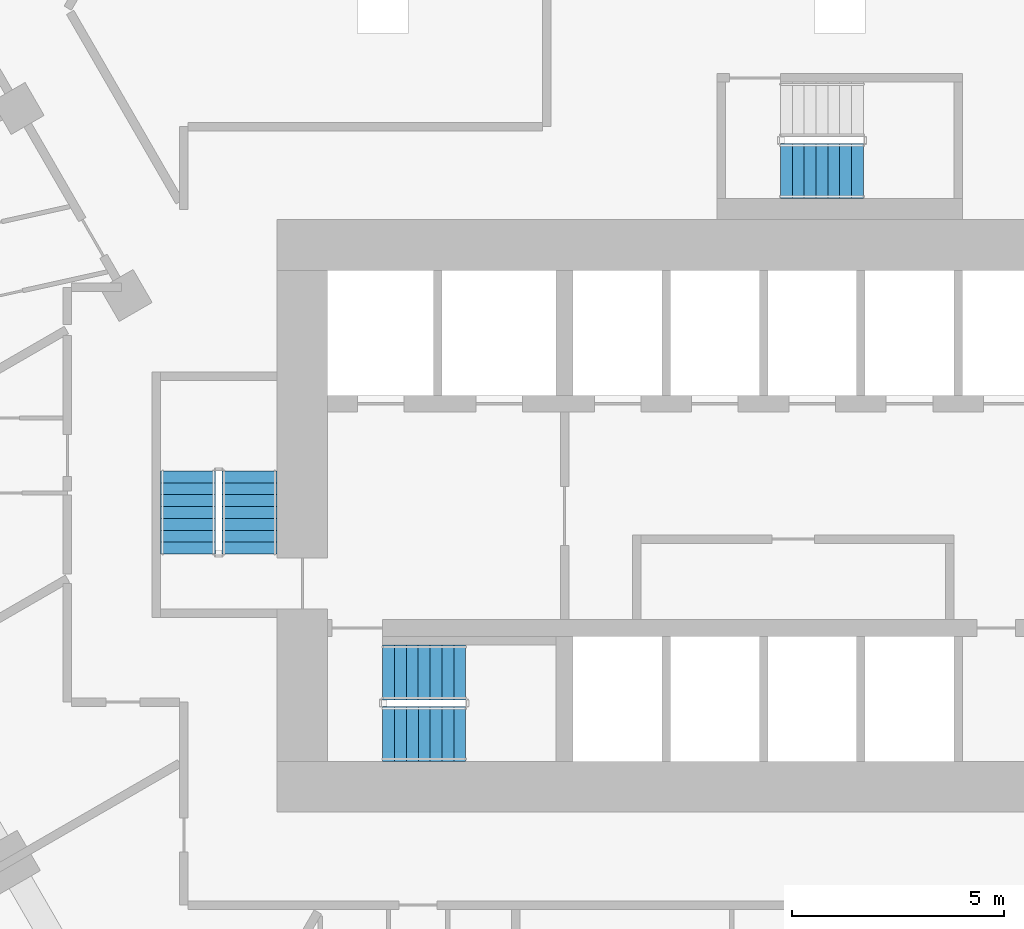
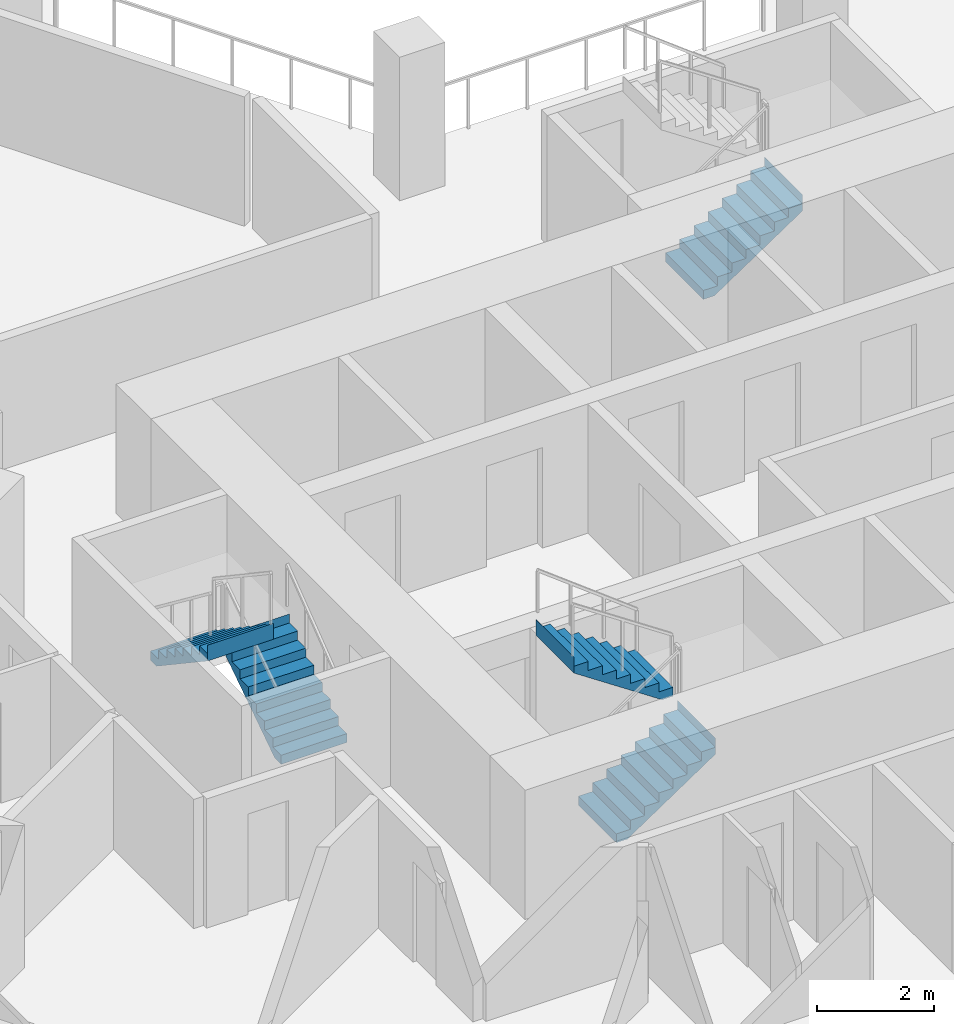
# One storey, part 16 of 21: 5 stair flights, 3 elements without a shape of their own.
"""IFC4 building model written with IfcOpenShell, lengths in metres."""

from ifc_helpers import new_model, si_unit, direction, frame, origin, place, context, subcontext, project, spatial, triangles, material, type_object, element, aggregate, save


model = new_model("IFC4")

# Units and contexts
model_context = context("Model", 3, precision=1e-05, world=origin(), true_north=direction((0.0, 1.0)))
body_context = subcontext(model_context, "Body", "Model", "MODEL_VIEW")
ifc_project = project(units=[si_unit("LENGTHUNIT", "METRE"), si_unit("AREAUNIT", "SQUARE_METRE"), si_unit("VOLUMEUNIT", "CUBIC_METRE"), si_unit("PLANEANGLEUNIT", "RADIAN"), si_unit("MASSUNIT", "GRAM", prefix="KILO")], contexts=[model_context])

# Site, building, storey
site_placement = place(None, origin())
site = spatial("IfcSite", under=ifc_project, at=site_placement, CompositionType="ELEMENT")
building_placement = place(site_placement, origin())
building = spatial("IfcBuilding", under=site, at=building_placement, Name="Beryl Residences", CompositionType="ELEMENT")
storey_placement = place(building_placement, frame((0.0, 0.0, 23.39990234375)))
storey = spatial("IfcBuildingStorey", under=building, at=storey_placement, Name="L06", CompositionType="ELEMENT", Elevation=23.39990234375)

# Stair, stair flights
ifc_material_1 = material(Name="Concrete C40/50", Category="concrete")
stair_type = type_object("IfcStairType", Name="ST1 protected exit stair, half-turn, 1300 mm flights", PredefinedType="HALF_TURN_STAIR", material=ifc_material_1)
stair_1_placement = place(storey_placement, origin())
stair_1 = element("IfcStair", 1, at=stair_1_placement, inside=storey, type_object=stair_type, Name="L06 PROTECTED EXIT STAIR ST-1", PredefinedType="HALF_TURN_STAIR")
ifc_material_2 = material(Name="Concrete C40/50", Category="concrete")
stair_flight_type = type_object("IfcStairFlightType", Name="SF1 stair flight 1300 mm", PredefinedType="STRAIGHT", material=ifc_material_2)
stair_flight_1_placement = place(storey_placement, frame((-10.800048828125, -17.14990234375, 0.0), z_axis=(0.0, 0.0, 1.0), x_axis=(1.0, 0.0, 0.0)))
stair_flight_1 = element("IfcStairFlight", 2, at=stair_flight_1_placement, type_object=stair_flight_type, Name="ST-1 flight 1", NumberOfRisers=8, NumberOfTreads=7, PredefinedType="STRAIGHT", RiserHeight=0.1875, TreadLength=0.28, context=body_context, shape_type="Tessellation", body=[
    triangles([(0.0, -0.64990234375, 0.0), (0.0, -0.324951171875, 0.0), (0.0, 0.0, 0.0), (0.0, 0.324951171875, 0.0), (0.0, 0.64990234375, 0.0), (0.0, -0.64990234375, 0.1875), (0.0, -0.324951171875, 0.1875), (0.0, 0.0, 0.1875), (0.0, 0.324951171875, 0.1875), (0.0, 0.64990234375, 0.1875), (0.280029296875, -0.64990234375, 0.1875), (0.280029296875, -0.324951171875, 0.1875), (0.280029296875, 0.0, 0.1875), (0.280029296875, 0.324951171875, 0.1875), (0.280029296875, 0.64990234375, 0.1875), (0.280029296875, -0.64990234375, 0.375), (0.280029296875, -0.324951171875, 0.375), (0.280029296875, 0.0, 0.375), (0.280029296875, 0.324951171875, 0.375), (0.280029296875, 0.64990234375, 0.375), (0.56005859375, -0.64990234375, 0.375), (0.56005859375, -0.324951171875, 0.375), (0.56005859375, 0.0, 0.375), (0.56005859375, 0.324951171875, 0.375), (0.56005859375, 0.64990234375, 0.375), (0.56005859375, -0.64990234375, 0.5625), (0.56005859375, -0.324951171875, 0.5625), (0.56005859375, 0.0, 0.5625), (0.56005859375, 0.324951171875, 0.5625), (0.56005859375, 0.64990234375, 0.5625), (0.840087890625, -0.64990234375, 0.5625), (0.840087890625, -0.324951171875, 0.5625), (0.840087890625, 0.0, 0.5625), (0.840087890625, 0.324951171875, 0.5625), (0.840087890625, 0.64990234375, 0.5625), (0.840087890625, -0.64990234375, 0.75), (0.840087890625, -0.324951171875, 0.75), (0.840087890625, 0.0, 0.75), (0.840087890625, 0.324951171875, 0.75), (0.840087890625, 0.64990234375, 0.75), (1.1201171875, -0.64990234375, 0.75), (1.1201171875, -0.324951171875, 0.75), (1.1201171875, 0.0, 0.75), (1.1201171875, 0.324951171875, 0.75), (1.1201171875, 0.64990234375, 0.75), (1.1201171875, -0.64990234375, 0.9375), (1.1201171875, -0.324951171875, 0.9375), (1.1201171875, 0.0, 0.9375), (1.1201171875, 0.324951171875, 0.9375), (1.1201171875, 0.64990234375, 0.9375), (1.39990234375, -0.64990234375, 0.9375), (1.39990234375, -0.324951171875, 0.9375), (1.39990234375, 0.0, 0.9375), (1.39990234375, 0.324951171875, 0.9375), (1.39990234375, 0.64990234375, 0.9375), (1.39990234375, -0.64990234375, 1.125), (1.39990234375, -0.324951171875, 1.125), (1.39990234375, 0.0, 1.125), (1.39990234375, 0.324951171875, 1.125), (1.39990234375, 0.64990234375, 1.125), (1.679931640625, -0.64990234375, 1.125), (1.679931640625, -0.324951171875, 1.125), (1.679931640625, 0.0, 1.125), (1.679931640625, 0.324951171875, 1.125), (1.679931640625, 0.64990234375, 1.125), (1.679931640625, -0.64990234375, 1.3125), (1.679931640625, -0.324951171875, 1.3125), (1.679931640625, 0.0, 1.3125), (1.679931640625, 0.324951171875, 1.3125), (1.679931640625, 0.64990234375, 1.3125), (1.9599609375, -0.64990234375, 1.3125), (1.9599609375, -0.324951171875, 1.3125), (1.9599609375, 0.0, 1.3125), (1.9599609375, 0.324951171875, 1.3125), (1.9599609375, 0.64990234375, 1.3125), (1.9599609375, -0.64990234375, 1.5), (1.9599609375, -0.324951171875, 1.5), (1.9599609375, 0.0, 1.5), (1.9599609375, 0.324951171875, 1.5), (1.9599609375, 0.64990234375, 1.5), (1.9609375, -0.64990234375, 1.5), (1.9609375, -0.324951171875, 1.5), (1.9609375, 0.0, 1.5), (1.9609375, 0.324951171875, 1.5), (1.9609375, 0.64990234375, 1.5), (1.9609375, -0.64990234375, 1.16796875), (1.9609375, -0.324951171875, 1.16796875), (1.9609375, 0.0, 1.16796875), (1.9609375, 0.324951171875, 1.16796875), (1.9609375, 0.64990234375, 1.16796875), (0.216796875, -0.64990234375, 0.0), (0.216796875, -0.324951171875, 0.0), (0.216796875, 0.0, 0.0), (0.216796875, 0.324951171875, 0.0), (0.216796875, 0.64990234375, 0.0)], [[1, 6, 7], [1, 7, 2], [2, 7, 8], [2, 8, 3], [3, 8, 9], [3, 9, 4], [4, 9, 10], [4, 10, 5], [6, 11, 12], [6, 12, 7], [7, 12, 13], [7, 13, 8], [8, 13, 14], [8, 14, 9], [9, 14, 15], [9, 15, 10], [11, 16, 17], [11, 17, 12], [12, 17, 18], [12, 18, 13], [13, 18, 19], [13, 19, 14], [14, 19, 20], [14, 20, 15], [16, 21, 22], [16, 22, 17], [17, 22, 23], [17, 23, 18], [18, 23, 24], [18, 24, 19], [19, 24, 25], [19, 25, 20], [21, 26, 27], [21, 27, 22], [22, 27, 28], [22, 28, 23], [23, 28, 29], [23, 29, 24], [24, 29, 30], [24, 30, 25], [26, 31, 32], [26, 32, 27], [27, 32, 33], [27, 33, 28], [28, 33, 34], [28, 34, 29], [29, 34, 35], [29, 35, 30], [31, 36, 37], [31, 37, 32], [32, 37, 38], [32, 38, 33], [33, 38, 39], [33, 39, 34], [34, 39, 40], [34, 40, 35], [36, 41, 42], [36, 42, 37], [37, 42, 43], [37, 43, 38], [38, 43, 44], [38, 44, 39], [39, 44, 45], [39, 45, 40], [41, 46, 47], [41, 47, 42], [42, 47, 48], [42, 48, 43], [43, 48, 49], [43, 49, 44], [44, 49, 50], [44, 50, 45], [46, 51, 52], [46, 52, 47], [47, 52, 53], [47, 53, 48], [48, 53, 54], [48, 54, 49], [49, 54, 55], [49, 55, 50], [51, 56, 57], [51, 57, 52], [52, 57, 58], [52, 58, 53], [53, 58, 59], [53, 59, 54], [54, 59, 60], [54, 60, 55], [56, 61, 62], [56, 62, 57], [57, 62, 63], [57, 63, 58], [58, 63, 64], [58, 64, 59], [59, 64, 65], [59, 65, 60], [61, 66, 67], [61, 67, 62], [62, 67, 68], [62, 68, 63], [63, 68, 69], [63, 69, 64], [64, 69, 70], [64, 70, 65], [66, 71, 72], [66, 72, 67], [67, 72, 73], [67, 73, 68], [68, 73, 74], [68, 74, 69], [69, 74, 75], [69, 75, 70], [71, 76, 77], [71, 77, 72], [72, 77, 78], [72, 78, 73], [73, 78, 79], [73, 79, 74], [74, 79, 80], [74, 80, 75], [76, 81, 82], [76, 82, 77], [77, 82, 83], [77, 83, 78], [78, 83, 84], [78, 84, 79], [79, 84, 85], [79, 85, 80], [81, 86, 87], [81, 87, 82], [82, 87, 88], [82, 88, 83], [83, 88, 89], [83, 89, 84], [84, 89, 90], [84, 90, 85], [86, 91, 92], [86, 92, 87], [87, 92, 93], [87, 93, 88], [88, 93, 94], [88, 94, 89], [89, 94, 95], [89, 95, 90], [91, 1, 2], [91, 2, 92], [92, 2, 3], [92, 3, 93], [93, 3, 4], [93, 4, 94], [94, 4, 5], [94, 5, 95], [1, 91, 86], [5, 90, 95], [86, 81, 76], [90, 80, 85], [86, 76, 71], [90, 75, 80], [86, 71, 66], [90, 70, 75], [86, 66, 61], [90, 65, 70], [61, 56, 51], [65, 55, 60], [86, 61, 51], [90, 55, 65], [51, 46, 41], [55, 45, 50], [86, 51, 41], [90, 45, 55], [41, 36, 31], [45, 35, 40], [86, 41, 31], [90, 35, 45], [31, 26, 21], [35, 25, 30], [86, 31, 21], [90, 25, 35], [21, 16, 11], [25, 15, 20], [86, 21, 11], [90, 15, 25], [1, 86, 11], [5, 15, 90], [11, 6, 1], [15, 5, 10]], closed=True),
])
stair_flight_2_placement = place(storey_placement, frame((-8.840087890625, -15.699951171875, 1.5), z_axis=(0.0, 0.0, 1.0), x_axis=(-1.0, 0.0, 0.0)))
stair_flight_2 = element("IfcStairFlight", 3, at=stair_flight_2_placement, type_object=stair_flight_type, Name="ST-1 flight 2", NumberOfRisers=8, NumberOfTreads=7, PredefinedType="STRAIGHT", RiserHeight=0.1875, TreadLength=0.28, context=body_context, shape_type="Tessellation", body=[
    triangles([(0.0, -0.64990234375, 0.0), (0.0, -0.324951171875, 0.0), (0.0, 0.0, 0.0), (0.0, 0.324951171875, 0.0), (0.0, 0.64990234375, 0.0), (0.0, -0.64990234375, 0.1875), (0.0, -0.324951171875, 0.1875), (0.0, 0.0, 0.1875), (0.0, 0.324951171875, 0.1875), (0.0, 0.64990234375, 0.1875), (0.280029296875, -0.64990234375, 0.1875), (0.280029296875, -0.324951171875, 0.1875), (0.280029296875, 0.0, 0.1875), (0.280029296875, 0.324951171875, 0.1875), (0.280029296875, 0.64990234375, 0.1875), (0.280029296875, -0.64990234375, 0.375), (0.280029296875, -0.324951171875, 0.375), (0.280029296875, 0.0, 0.375), (0.280029296875, 0.324951171875, 0.375), (0.280029296875, 0.64990234375, 0.375), (0.56005859375, -0.64990234375, 0.375), (0.56005859375, -0.324951171875, 0.375), (0.56005859375, 0.0, 0.375), (0.56005859375, 0.324951171875, 0.375), (0.56005859375, 0.64990234375, 0.375), (0.56005859375, -0.64990234375, 0.5625), (0.56005859375, -0.324951171875, 0.5625), (0.56005859375, 0.0, 0.5625), (0.56005859375, 0.324951171875, 0.5625), (0.56005859375, 0.64990234375, 0.5625), (0.840087890625, -0.64990234375, 0.5625), (0.840087890625, -0.324951171875, 0.5625), (0.840087890625, 0.0, 0.5625), (0.840087890625, 0.324951171875, 0.5625), (0.840087890625, 0.64990234375, 0.5625), (0.840087890625, -0.64990234375, 0.75), (0.840087890625, -0.324951171875, 0.75), (0.840087890625, 0.0, 0.75), (0.840087890625, 0.324951171875, 0.75), (0.840087890625, 0.64990234375, 0.75), (1.1201171875, -0.64990234375, 0.75), (1.1201171875, -0.324951171875, 0.75), (1.1201171875, 0.0, 0.75), (1.1201171875, 0.324951171875, 0.75), (1.1201171875, 0.64990234375, 0.75), (1.1201171875, -0.64990234375, 0.9375), (1.1201171875, -0.324951171875, 0.9375), (1.1201171875, 0.0, 0.9375), (1.1201171875, 0.324951171875, 0.9375), (1.1201171875, 0.64990234375, 0.9375), (1.39990234375, -0.64990234375, 0.9375), (1.39990234375, -0.324951171875, 0.9375), (1.39990234375, 0.0, 0.9375), (1.39990234375, 0.324951171875, 0.9375), (1.39990234375, 0.64990234375, 0.9375), (1.39990234375, -0.64990234375, 1.125), (1.39990234375, -0.324951171875, 1.125), (1.39990234375, 0.0, 1.125), (1.39990234375, 0.324951171875, 1.125), (1.39990234375, 0.64990234375, 1.125), (1.679931640625, -0.64990234375, 1.125), (1.679931640625, -0.324951171875, 1.125), (1.679931640625, 0.0, 1.125), (1.679931640625, 0.324951171875, 1.125), (1.679931640625, 0.64990234375, 1.125), (1.679931640625, -0.64990234375, 1.3125), (1.679931640625, -0.324951171875, 1.3125), (1.679931640625, 0.0, 1.3125), (1.679931640625, 0.324951171875, 1.3125), (1.679931640625, 0.64990234375, 1.3125), (1.9599609375, -0.64990234375, 1.3125), (1.9599609375, -0.324951171875, 1.3125), (1.9599609375, 0.0, 1.3125), (1.9599609375, 0.324951171875, 1.3125), (1.9599609375, 0.64990234375, 1.3125), (1.9599609375, -0.64990234375, 1.5), (1.9599609375, -0.324951171875, 1.5), (1.9599609375, 0.0, 1.5), (1.9599609375, 0.324951171875, 1.5), (1.9599609375, 0.64990234375, 1.5), (1.9609375, -0.64990234375, 1.5), (1.9609375, -0.324951171875, 1.5), (1.9609375, 0.0, 1.5), (1.9609375, 0.324951171875, 1.5), (1.9609375, 0.64990234375, 1.5), (1.9609375, -0.64990234375, 1.16796875), (1.9609375, -0.324951171875, 1.16796875), (1.9609375, 0.0, 1.16796875), (1.9609375, 0.324951171875, 1.16796875), (1.9609375, 0.64990234375, 1.16796875), (0.216796875, -0.64990234375, 0.0), (0.216796875, -0.324951171875, 0.0), (0.216796875, 0.0, 0.0), (0.216796875, 0.324951171875, 0.0), (0.216796875, 0.64990234375, 0.0)], [[1, 6, 7], [1, 7, 2], [2, 7, 8], [2, 8, 3], [3, 8, 9], [3, 9, 4], [4, 9, 10], [4, 10, 5], [6, 11, 12], [6, 12, 7], [7, 12, 13], [7, 13, 8], [8, 13, 14], [8, 14, 9], [9, 14, 15], [9, 15, 10], [11, 16, 17], [11, 17, 12], [12, 17, 18], [12, 18, 13], [13, 18, 19], [13, 19, 14], [14, 19, 20], [14, 20, 15], [16, 21, 22], [16, 22, 17], [17, 22, 23], [17, 23, 18], [18, 23, 24], [18, 24, 19], [19, 24, 25], [19, 25, 20], [21, 26, 27], [21, 27, 22], [22, 27, 28], [22, 28, 23], [23, 28, 29], [23, 29, 24], [24, 29, 30], [24, 30, 25], [26, 31, 32], [26, 32, 27], [27, 32, 33], [27, 33, 28], [28, 33, 34], [28, 34, 29], [29, 34, 35], [29, 35, 30], [31, 36, 37], [31, 37, 32], [32, 37, 38], [32, 38, 33], [33, 38, 39], [33, 39, 34], [34, 39, 40], [34, 40, 35], [36, 41, 42], [36, 42, 37], [37, 42, 43], [37, 43, 38], [38, 43, 44], [38, 44, 39], [39, 44, 45], [39, 45, 40], [41, 46, 47], [41, 47, 42], [42, 47, 48], [42, 48, 43], [43, 48, 49], [43, 49, 44], [44, 49, 50], [44, 50, 45], [46, 51, 52], [46, 52, 47], [47, 52, 53], [47, 53, 48], [48, 53, 54], [48, 54, 49], [49, 54, 55], [49, 55, 50], [51, 56, 57], [51, 57, 52], [52, 57, 58], [52, 58, 53], [53, 58, 59], [53, 59, 54], [54, 59, 60], [54, 60, 55], [56, 61, 62], [56, 62, 57], [57, 62, 63], [57, 63, 58], [58, 63, 64], [58, 64, 59], [59, 64, 65], [59, 65, 60], [61, 66, 67], [61, 67, 62], [62, 67, 68], [62, 68, 63], [63, 68, 69], [63, 69, 64], [64, 69, 70], [64, 70, 65], [66, 71, 72], [66, 72, 67], [67, 72, 73], [67, 73, 68], [68, 73, 74], [68, 74, 69], [69, 74, 75], [69, 75, 70], [71, 76, 77], [71, 77, 72], [72, 77, 78], [72, 78, 73], [73, 78, 79], [73, 79, 74], [74, 79, 80], [74, 80, 75], [76, 81, 82], [76, 82, 77], [77, 82, 83], [77, 83, 78], [78, 83, 84], [78, 84, 79], [79, 84, 85], [79, 85, 80], [81, 86, 87], [81, 87, 82], [82, 87, 88], [82, 88, 83], [83, 88, 89], [83, 89, 84], [84, 89, 90], [84, 90, 85], [86, 91, 92], [86, 92, 87], [87, 92, 93], [87, 93, 88], [88, 93, 94], [88, 94, 89], [89, 94, 95], [89, 95, 90], [91, 1, 2], [91, 2, 92], [92, 2, 3], [92, 3, 93], [93, 3, 4], [93, 4, 94], [94, 4, 5], [94, 5, 95], [1, 91, 86], [5, 90, 95], [86, 81, 76], [90, 80, 85], [86, 76, 71], [90, 75, 80], [86, 71, 66], [90, 70, 75], [86, 66, 61], [90, 65, 70], [61, 56, 51], [65, 55, 60], [86, 61, 51], [90, 55, 65], [51, 46, 41], [55, 45, 50], [86, 51, 41], [90, 45, 55], [41, 36, 31], [45, 35, 40], [86, 41, 31], [90, 35, 45], [31, 26, 21], [35, 25, 30], [86, 31, 21], [90, 25, 35], [21, 16, 11], [25, 15, 20], [86, 21, 11], [90, 15, 25], [1, 86, 11], [5, 15, 90], [11, 6, 1], [15, 5, 10]], closed=True),
])
aggregate(stair_1, [stair_flight_1, stair_flight_2])

stair_2_placement = place(storey_placement, origin())
stair_2 = element("IfcStair", 4, at=stair_2_placement, inside=storey, type_object=stair_type, Name="L06 PROTECTED EXIT STAIR ST-2", PredefinedType="HALF_TURN_STAIR")
stair_flight_3_placement = place(storey_placement, frame((-13.949951171875, -12.89990234375, 0.0), z_axis=(0.0, 0.0, 1.0), x_axis=(0.0, 1.0, 0.0)))
stair_flight_3 = element("IfcStairFlight", 5, at=stair_flight_3_placement, type_object=stair_flight_type, Name="ST-2 flight 1", NumberOfRisers=8, NumberOfTreads=7, PredefinedType="STRAIGHT", RiserHeight=0.1875, TreadLength=0.28, context=body_context, shape_type="Tessellation", body=[
    triangles([(0.0, -0.64990234375, 0.0), (0.0, -0.324951171875, 0.0), (0.0, 0.0, 0.0), (0.0, 0.324951171875, 0.0), (0.0, 0.64990234375, 0.0), (0.0, -0.64990234375, 0.1875), (0.0, -0.324951171875, 0.1875), (0.0, 0.0, 0.1875), (0.0, 0.324951171875, 0.1875), (0.0, 0.64990234375, 0.1875), (0.280029296875, -0.64990234375, 0.1875), (0.280029296875, -0.324951171875, 0.1875), (0.280029296875, 0.0, 0.1875), (0.280029296875, 0.324951171875, 0.1875), (0.280029296875, 0.64990234375, 0.1875), (0.280029296875, -0.64990234375, 0.375), (0.280029296875, -0.324951171875, 0.375), (0.280029296875, 0.0, 0.375), (0.280029296875, 0.324951171875, 0.375), (0.280029296875, 0.64990234375, 0.375), (0.56005859375, -0.64990234375, 0.375), (0.56005859375, -0.324951171875, 0.375), (0.56005859375, 0.0, 0.375), (0.56005859375, 0.324951171875, 0.375), (0.56005859375, 0.64990234375, 0.375), (0.56005859375, -0.64990234375, 0.5625), (0.56005859375, -0.324951171875, 0.5625), (0.56005859375, 0.0, 0.5625), (0.56005859375, 0.324951171875, 0.5625), (0.56005859375, 0.64990234375, 0.5625), (0.840087890625, -0.64990234375, 0.5625), (0.840087890625, -0.324951171875, 0.5625), (0.840087890625, 0.0, 0.5625), (0.840087890625, 0.324951171875, 0.5625), (0.840087890625, 0.64990234375, 0.5625), (0.840087890625, -0.64990234375, 0.75), (0.840087890625, -0.324951171875, 0.75), (0.840087890625, 0.0, 0.75), (0.840087890625, 0.324951171875, 0.75), (0.840087890625, 0.64990234375, 0.75), (1.1201171875, -0.64990234375, 0.75), (1.1201171875, -0.324951171875, 0.75), (1.1201171875, 0.0, 0.75), (1.1201171875, 0.324951171875, 0.75), (1.1201171875, 0.64990234375, 0.75), (1.1201171875, -0.64990234375, 0.9375), (1.1201171875, -0.324951171875, 0.9375), (1.1201171875, 0.0, 0.9375), (1.1201171875, 0.324951171875, 0.9375), (1.1201171875, 0.64990234375, 0.9375), (1.39990234375, -0.64990234375, 0.9375), (1.39990234375, -0.324951171875, 0.9375), (1.39990234375, 0.0, 0.9375), (1.39990234375, 0.324951171875, 0.9375), (1.39990234375, 0.64990234375, 0.9375), (1.39990234375, -0.64990234375, 1.125), (1.39990234375, -0.324951171875, 1.125), (1.39990234375, 0.0, 1.125), (1.39990234375, 0.324951171875, 1.125), (1.39990234375, 0.64990234375, 1.125), (1.679931640625, -0.64990234375, 1.125), (1.679931640625, -0.324951171875, 1.125), (1.679931640625, 0.0, 1.125), (1.679931640625, 0.324951171875, 1.125), (1.679931640625, 0.64990234375, 1.125), (1.679931640625, -0.64990234375, 1.3125), (1.679931640625, -0.324951171875, 1.3125), (1.679931640625, 0.0, 1.3125), (1.679931640625, 0.324951171875, 1.3125), (1.679931640625, 0.64990234375, 1.3125), (1.9599609375, -0.64990234375, 1.3125), (1.9599609375, -0.324951171875, 1.3125), (1.9599609375, 0.0, 1.3125), (1.9599609375, 0.324951171875, 1.3125), (1.9599609375, 0.64990234375, 1.3125), (1.9599609375, -0.64990234375, 1.5), (1.9599609375, -0.324951171875, 1.5), (1.9599609375, 0.0, 1.5), (1.9599609375, 0.324951171875, 1.5), (1.9599609375, 0.64990234375, 1.5), (1.9609375, -0.64990234375, 1.5), (1.9609375, -0.324951171875, 1.5), (1.9609375, 0.0, 1.5), (1.9609375, 0.324951171875, 1.5), (1.9609375, 0.64990234375, 1.5), (1.9609375, -0.64990234375, 1.16796875), (1.9609375, -0.324951171875, 1.16796875), (1.9609375, 0.0, 1.16796875), (1.9609375, 0.324951171875, 1.16796875), (1.9609375, 0.64990234375, 1.16796875), (0.216796875, -0.64990234375, 0.0), (0.216796875, -0.324951171875, 0.0), (0.216796875, 0.0, 0.0), (0.216796875, 0.324951171875, 0.0), (0.216796875, 0.64990234375, 0.0)], [[1, 6, 7], [1, 7, 2], [2, 7, 8], [2, 8, 3], [3, 8, 9], [3, 9, 4], [4, 9, 10], [4, 10, 5], [6, 11, 12], [6, 12, 7], [7, 12, 13], [7, 13, 8], [8, 13, 14], [8, 14, 9], [9, 14, 15], [9, 15, 10], [11, 16, 17], [11, 17, 12], [12, 17, 18], [12, 18, 13], [13, 18, 19], [13, 19, 14], [14, 19, 20], [14, 20, 15], [16, 21, 22], [16, 22, 17], [17, 22, 23], [17, 23, 18], [18, 23, 24], [18, 24, 19], [19, 24, 25], [19, 25, 20], [21, 26, 27], [21, 27, 22], [22, 27, 28], [22, 28, 23], [23, 28, 29], [23, 29, 24], [24, 29, 30], [24, 30, 25], [26, 31, 32], [26, 32, 27], [27, 32, 33], [27, 33, 28], [28, 33, 34], [28, 34, 29], [29, 34, 35], [29, 35, 30], [31, 36, 37], [31, 37, 32], [32, 37, 38], [32, 38, 33], [33, 38, 39], [33, 39, 34], [34, 39, 40], [34, 40, 35], [36, 41, 42], [36, 42, 37], [37, 42, 43], [37, 43, 38], [38, 43, 44], [38, 44, 39], [39, 44, 45], [39, 45, 40], [41, 46, 47], [41, 47, 42], [42, 47, 48], [42, 48, 43], [43, 48, 49], [43, 49, 44], [44, 49, 50], [44, 50, 45], [46, 51, 52], [46, 52, 47], [47, 52, 53], [47, 53, 48], [48, 53, 54], [48, 54, 49], [49, 54, 55], [49, 55, 50], [51, 56, 57], [51, 57, 52], [52, 57, 58], [52, 58, 53], [53, 58, 59], [53, 59, 54], [54, 59, 60], [54, 60, 55], [56, 61, 62], [56, 62, 57], [57, 62, 63], [57, 63, 58], [58, 63, 64], [58, 64, 59], [59, 64, 65], [59, 65, 60], [61, 66, 67], [61, 67, 62], [62, 67, 68], [62, 68, 63], [63, 68, 69], [63, 69, 64], [64, 69, 70], [64, 70, 65], [66, 71, 72], [66, 72, 67], [67, 72, 73], [67, 73, 68], [68, 73, 74], [68, 74, 69], [69, 74, 75], [69, 75, 70], [71, 76, 77], [71, 77, 72], [72, 77, 78], [72, 78, 73], [73, 78, 79], [73, 79, 74], [74, 79, 80], [74, 80, 75], [76, 81, 82], [76, 82, 77], [77, 82, 83], [77, 83, 78], [78, 83, 84], [78, 84, 79], [79, 84, 85], [79, 85, 80], [81, 86, 87], [81, 87, 82], [82, 87, 88], [82, 88, 83], [83, 88, 89], [83, 89, 84], [84, 89, 90], [84, 90, 85], [86, 91, 92], [86, 92, 87], [87, 92, 93], [87, 93, 88], [88, 93, 94], [88, 94, 89], [89, 94, 95], [89, 95, 90], [91, 1, 2], [91, 2, 92], [92, 2, 3], [92, 3, 93], [93, 3, 4], [93, 4, 94], [94, 4, 5], [94, 5, 95], [1, 91, 86], [5, 90, 95], [86, 81, 76], [90, 80, 85], [86, 76, 71], [90, 75, 80], [86, 71, 66], [90, 70, 75], [86, 66, 61], [90, 65, 70], [61, 56, 51], [65, 55, 60], [86, 61, 51], [90, 55, 65], [51, 46, 41], [55, 45, 50], [86, 51, 41], [90, 45, 55], [41, 36, 31], [45, 35, 40], [86, 41, 31], [90, 35, 45], [31, 26, 21], [35, 25, 30], [86, 31, 21], [90, 25, 35], [21, 16, 11], [25, 15, 20], [86, 21, 11], [90, 15, 25], [1, 86, 11], [5, 15, 90], [11, 6, 1], [15, 5, 10]], closed=True),
])
stair_flight_4_placement = place(storey_placement, frame((-15.39990234375, -10.93994140625, 1.5), z_axis=(0.0, 0.0, 1.0), x_axis=(0.0, -1.0, 0.0)))
stair_flight_4 = element("IfcStairFlight", 6, at=stair_flight_4_placement, type_object=stair_flight_type, Name="ST-2 flight 2", NumberOfRisers=8, NumberOfTreads=7, PredefinedType="STRAIGHT", RiserHeight=0.1875, TreadLength=0.28, context=body_context, shape_type="Tessellation", body=[
    triangles([(0.0, -0.64990234375, 0.0), (0.0, -0.324951171875, 0.0), (0.0, 0.0, 0.0), (0.0, 0.324951171875, 0.0), (0.0, 0.64990234375, 0.0), (0.0, -0.64990234375, 0.1875), (0.0, -0.324951171875, 0.1875), (0.0, 0.0, 0.1875), (0.0, 0.324951171875, 0.1875), (0.0, 0.64990234375, 0.1875), (0.280029296875, -0.64990234375, 0.1875), (0.280029296875, -0.324951171875, 0.1875), (0.280029296875, 0.0, 0.1875), (0.280029296875, 0.324951171875, 0.1875), (0.280029296875, 0.64990234375, 0.1875), (0.280029296875, -0.64990234375, 0.375), (0.280029296875, -0.324951171875, 0.375), (0.280029296875, 0.0, 0.375), (0.280029296875, 0.324951171875, 0.375), (0.280029296875, 0.64990234375, 0.375), (0.56005859375, -0.64990234375, 0.375), (0.56005859375, -0.324951171875, 0.375), (0.56005859375, 0.0, 0.375), (0.56005859375, 0.324951171875, 0.375), (0.56005859375, 0.64990234375, 0.375), (0.56005859375, -0.64990234375, 0.5625), (0.56005859375, -0.324951171875, 0.5625), (0.56005859375, 0.0, 0.5625), (0.56005859375, 0.324951171875, 0.5625), (0.56005859375, 0.64990234375, 0.5625), (0.840087890625, -0.64990234375, 0.5625), (0.840087890625, -0.324951171875, 0.5625), (0.840087890625, 0.0, 0.5625), (0.840087890625, 0.324951171875, 0.5625), (0.840087890625, 0.64990234375, 0.5625), (0.840087890625, -0.64990234375, 0.75), (0.840087890625, -0.324951171875, 0.75), (0.840087890625, 0.0, 0.75), (0.840087890625, 0.324951171875, 0.75), (0.840087890625, 0.64990234375, 0.75), (1.1201171875, -0.64990234375, 0.75), (1.1201171875, -0.324951171875, 0.75), (1.1201171875, 0.0, 0.75), (1.1201171875, 0.324951171875, 0.75), (1.1201171875, 0.64990234375, 0.75), (1.1201171875, -0.64990234375, 0.9375), (1.1201171875, -0.324951171875, 0.9375), (1.1201171875, 0.0, 0.9375), (1.1201171875, 0.324951171875, 0.9375), (1.1201171875, 0.64990234375, 0.9375), (1.39990234375, -0.64990234375, 0.9375), (1.39990234375, -0.324951171875, 0.9375), (1.39990234375, 0.0, 0.9375), (1.39990234375, 0.324951171875, 0.9375), (1.39990234375, 0.64990234375, 0.9375), (1.39990234375, -0.64990234375, 1.125), (1.39990234375, -0.324951171875, 1.125), (1.39990234375, 0.0, 1.125), (1.39990234375, 0.324951171875, 1.125), (1.39990234375, 0.64990234375, 1.125), (1.679931640625, -0.64990234375, 1.125), (1.679931640625, -0.324951171875, 1.125), (1.679931640625, 0.0, 1.125), (1.679931640625, 0.324951171875, 1.125), (1.679931640625, 0.64990234375, 1.125), (1.679931640625, -0.64990234375, 1.3125), (1.679931640625, -0.324951171875, 1.3125), (1.679931640625, 0.0, 1.3125), (1.679931640625, 0.324951171875, 1.3125), (1.679931640625, 0.64990234375, 1.3125), (1.9599609375, -0.64990234375, 1.3125), (1.9599609375, -0.324951171875, 1.3125), (1.9599609375, 0.0, 1.3125), (1.9599609375, 0.324951171875, 1.3125), (1.9599609375, 0.64990234375, 1.3125), (1.9599609375, -0.64990234375, 1.5), (1.9599609375, -0.324951171875, 1.5), (1.9599609375, 0.0, 1.5), (1.9599609375, 0.324951171875, 1.5), (1.9599609375, 0.64990234375, 1.5), (1.9609375, -0.64990234375, 1.5), (1.9609375, -0.324951171875, 1.5), (1.9609375, 0.0, 1.5), (1.9609375, 0.324951171875, 1.5), (1.9609375, 0.64990234375, 1.5), (1.9609375, -0.64990234375, 1.16796875), (1.9609375, -0.324951171875, 1.16796875), (1.9609375, 0.0, 1.16796875), (1.9609375, 0.324951171875, 1.16796875), (1.9609375, 0.64990234375, 1.16796875), (0.216796875, -0.64990234375, 0.0), (0.216796875, -0.324951171875, 0.0), (0.216796875, 0.0, 0.0), (0.216796875, 0.324951171875, 0.0), (0.216796875, 0.64990234375, 0.0)], [[1, 6, 7], [1, 7, 2], [2, 7, 8], [2, 8, 3], [3, 8, 9], [3, 9, 4], [4, 9, 10], [4, 10, 5], [6, 11, 12], [6, 12, 7], [7, 12, 13], [7, 13, 8], [8, 13, 14], [8, 14, 9], [9, 14, 15], [9, 15, 10], [11, 16, 17], [11, 17, 12], [12, 17, 18], [12, 18, 13], [13, 18, 19], [13, 19, 14], [14, 19, 20], [14, 20, 15], [16, 21, 22], [16, 22, 17], [17, 22, 23], [17, 23, 18], [18, 23, 24], [18, 24, 19], [19, 24, 25], [19, 25, 20], [21, 26, 27], [21, 27, 22], [22, 27, 28], [22, 28, 23], [23, 28, 29], [23, 29, 24], [24, 29, 30], [24, 30, 25], [26, 31, 32], [26, 32, 27], [27, 32, 33], [27, 33, 28], [28, 33, 34], [28, 34, 29], [29, 34, 35], [29, 35, 30], [31, 36, 37], [31, 37, 32], [32, 37, 38], [32, 38, 33], [33, 38, 39], [33, 39, 34], [34, 39, 40], [34, 40, 35], [36, 41, 42], [36, 42, 37], [37, 42, 43], [37, 43, 38], [38, 43, 44], [38, 44, 39], [39, 44, 45], [39, 45, 40], [41, 46, 47], [41, 47, 42], [42, 47, 48], [42, 48, 43], [43, 48, 49], [43, 49, 44], [44, 49, 50], [44, 50, 45], [46, 51, 52], [46, 52, 47], [47, 52, 53], [47, 53, 48], [48, 53, 54], [48, 54, 49], [49, 54, 55], [49, 55, 50], [51, 56, 57], [51, 57, 52], [52, 57, 58], [52, 58, 53], [53, 58, 59], [53, 59, 54], [54, 59, 60], [54, 60, 55], [56, 61, 62], [56, 62, 57], [57, 62, 63], [57, 63, 58], [58, 63, 64], [58, 64, 59], [59, 64, 65], [59, 65, 60], [61, 66, 67], [61, 67, 62], [62, 67, 68], [62, 68, 63], [63, 68, 69], [63, 69, 64], [64, 69, 70], [64, 70, 65], [66, 71, 72], [66, 72, 67], [67, 72, 73], [67, 73, 68], [68, 73, 74], [68, 74, 69], [69, 74, 75], [69, 75, 70], [71, 76, 77], [71, 77, 72], [72, 77, 78], [72, 78, 73], [73, 78, 79], [73, 79, 74], [74, 79, 80], [74, 80, 75], [76, 81, 82], [76, 82, 77], [77, 82, 83], [77, 83, 78], [78, 83, 84], [78, 84, 79], [79, 84, 85], [79, 85, 80], [81, 86, 87], [81, 87, 82], [82, 87, 88], [82, 88, 83], [83, 88, 89], [83, 89, 84], [84, 89, 90], [84, 90, 85], [86, 91, 92], [86, 92, 87], [87, 92, 93], [87, 93, 88], [88, 93, 94], [88, 94, 89], [89, 94, 95], [89, 95, 90], [91, 1, 2], [91, 2, 92], [92, 2, 3], [92, 3, 93], [93, 3, 4], [93, 4, 94], [94, 4, 5], [94, 5, 95], [1, 91, 86], [5, 90, 95], [86, 81, 76], [90, 80, 85], [86, 76, 71], [90, 75, 80], [86, 71, 66], [90, 70, 75], [86, 66, 61], [90, 65, 70], [61, 56, 51], [65, 55, 60], [86, 61, 51], [90, 55, 65], [51, 46, 41], [55, 45, 50], [86, 51, 41], [90, 45, 55], [41, 36, 31], [45, 35, 40], [86, 41, 31], [90, 35, 45], [31, 26, 21], [35, 25, 30], [86, 31, 21], [90, 25, 35], [21, 16, 11], [25, 15, 20], [86, 21, 11], [90, 15, 25], [1, 86, 11], [5, 15, 90], [11, 6, 1], [15, 5, 10]], closed=True),
])
aggregate(stair_2, [stair_flight_3, stair_flight_4])

# Stair, stair flight
stair_3_placement = place(storey_placement, origin())
stair_3 = element("IfcStair", 7, at=stair_3_placement, inside=storey, type_object=stair_type, Name="L06 PROTECTED EXIT STAIR ST-4", PredefinedType="HALF_TURN_STAIR")
stair_flight_5_placement = place(storey_placement, frame((-1.39990234375, -3.85009765625, 0.0), z_axis=(0.0, 0.0, 1.0), x_axis=(1.0, 0.0, 0.0)))
stair_flight_5 = element("IfcStairFlight", 8, at=stair_flight_5_placement, type_object=stair_flight_type, Name="ST-4 flight 1", NumberOfRisers=8, NumberOfTreads=7, PredefinedType="STRAIGHT", RiserHeight=0.1875, TreadLength=0.28, context=body_context, shape_type="Tessellation", body=[
    triangles([(0.0, -0.64990234375, 0.0), (0.0, -0.324951171875, 0.0), (0.0, 0.0, 0.0), (0.0, 0.324951171875, 0.0), (0.0, 0.64990234375, 0.0), (0.0, -0.64990234375, 0.1875), (0.0, -0.324951171875, 0.1875), (0.0, 0.0, 0.1875), (0.0, 0.324951171875, 0.1875), (0.0, 0.64990234375, 0.1875), (0.280029296875, -0.64990234375, 0.1875), (0.280029296875, -0.324951171875, 0.1875), (0.280029296875, 0.0, 0.1875), (0.280029296875, 0.324951171875, 0.1875), (0.280029296875, 0.64990234375, 0.1875), (0.280029296875, -0.64990234375, 0.375), (0.280029296875, -0.324951171875, 0.375), (0.280029296875, 0.0, 0.375), (0.280029296875, 0.324951171875, 0.375), (0.280029296875, 0.64990234375, 0.375), (0.56005859375, -0.64990234375, 0.375), (0.56005859375, -0.324951171875, 0.375), (0.56005859375, 0.0, 0.375), (0.56005859375, 0.324951171875, 0.375), (0.56005859375, 0.64990234375, 0.375), (0.56005859375, -0.64990234375, 0.5625), (0.56005859375, -0.324951171875, 0.5625), (0.56005859375, 0.0, 0.5625), (0.56005859375, 0.324951171875, 0.5625), (0.56005859375, 0.64990234375, 0.5625), (0.840087890625, -0.64990234375, 0.5625), (0.840087890625, -0.324951171875, 0.5625), (0.840087890625, 0.0, 0.5625), (0.840087890625, 0.324951171875, 0.5625), (0.840087890625, 0.64990234375, 0.5625), (0.840087890625, -0.64990234375, 0.75), (0.840087890625, -0.324951171875, 0.75), (0.840087890625, 0.0, 0.75), (0.840087890625, 0.324951171875, 0.75), (0.840087890625, 0.64990234375, 0.75), (1.1201171875, -0.64990234375, 0.75), (1.1201171875, -0.324951171875, 0.75), (1.1201171875, 0.0, 0.75), (1.1201171875, 0.324951171875, 0.75), (1.1201171875, 0.64990234375, 0.75), (1.1201171875, -0.64990234375, 0.9375), (1.1201171875, -0.324951171875, 0.9375), (1.1201171875, 0.0, 0.9375), (1.1201171875, 0.324951171875, 0.9375), (1.1201171875, 0.64990234375, 0.9375), (1.39990234375, -0.64990234375, 0.9375), (1.39990234375, -0.324951171875, 0.9375), (1.39990234375, 0.0, 0.9375), (1.39990234375, 0.324951171875, 0.9375), (1.39990234375, 0.64990234375, 0.9375), (1.39990234375, -0.64990234375, 1.125), (1.39990234375, -0.324951171875, 1.125), (1.39990234375, 0.0, 1.125), (1.39990234375, 0.324951171875, 1.125), (1.39990234375, 0.64990234375, 1.125), (1.679931640625, -0.64990234375, 1.125), (1.679931640625, -0.324951171875, 1.125), (1.679931640625, 0.0, 1.125), (1.679931640625, 0.324951171875, 1.125), (1.679931640625, 0.64990234375, 1.125), (1.679931640625, -0.64990234375, 1.3125), (1.679931640625, -0.324951171875, 1.3125), (1.679931640625, 0.0, 1.3125), (1.679931640625, 0.324951171875, 1.3125), (1.679931640625, 0.64990234375, 1.3125), (1.9599609375, -0.64990234375, 1.3125), (1.9599609375, -0.324951171875, 1.3125), (1.9599609375, 0.0, 1.3125), (1.9599609375, 0.324951171875, 1.3125), (1.9599609375, 0.64990234375, 1.3125), (1.9599609375, -0.64990234375, 1.5), (1.9599609375, -0.324951171875, 1.5), (1.9599609375, 0.0, 1.5), (1.9599609375, 0.324951171875, 1.5), (1.9599609375, 0.64990234375, 1.5), (1.9609375, -0.64990234375, 1.5), (1.9609375, -0.324951171875, 1.5), (1.9609375, 0.0, 1.5), (1.9609375, 0.324951171875, 1.5), (1.9609375, 0.64990234375, 1.5), (1.9609375, -0.64990234375, 1.16796875), (1.9609375, -0.324951171875, 1.16796875), (1.9609375, 0.0, 1.16796875), (1.9609375, 0.324951171875, 1.16796875), (1.9609375, 0.64990234375, 1.16796875), (0.216796875, -0.64990234375, 0.0), (0.216796875, -0.324951171875, 0.0), (0.216796875, 0.0, 0.0), (0.216796875, 0.324951171875, 0.0), (0.216796875, 0.64990234375, 0.0)], [[1, 6, 7], [1, 7, 2], [2, 7, 8], [2, 8, 3], [3, 8, 9], [3, 9, 4], [4, 9, 10], [4, 10, 5], [6, 11, 12], [6, 12, 7], [7, 12, 13], [7, 13, 8], [8, 13, 14], [8, 14, 9], [9, 14, 15], [9, 15, 10], [11, 16, 17], [11, 17, 12], [12, 17, 18], [12, 18, 13], [13, 18, 19], [13, 19, 14], [14, 19, 20], [14, 20, 15], [16, 21, 22], [16, 22, 17], [17, 22, 23], [17, 23, 18], [18, 23, 24], [18, 24, 19], [19, 24, 25], [19, 25, 20], [21, 26, 27], [21, 27, 22], [22, 27, 28], [22, 28, 23], [23, 28, 29], [23, 29, 24], [24, 29, 30], [24, 30, 25], [26, 31, 32], [26, 32, 27], [27, 32, 33], [27, 33, 28], [28, 33, 34], [28, 34, 29], [29, 34, 35], [29, 35, 30], [31, 36, 37], [31, 37, 32], [32, 37, 38], [32, 38, 33], [33, 38, 39], [33, 39, 34], [34, 39, 40], [34, 40, 35], [36, 41, 42], [36, 42, 37], [37, 42, 43], [37, 43, 38], [38, 43, 44], [38, 44, 39], [39, 44, 45], [39, 45, 40], [41, 46, 47], [41, 47, 42], [42, 47, 48], [42, 48, 43], [43, 48, 49], [43, 49, 44], [44, 49, 50], [44, 50, 45], [46, 51, 52], [46, 52, 47], [47, 52, 53], [47, 53, 48], [48, 53, 54], [48, 54, 49], [49, 54, 55], [49, 55, 50], [51, 56, 57], [51, 57, 52], [52, 57, 58], [52, 58, 53], [53, 58, 59], [53, 59, 54], [54, 59, 60], [54, 60, 55], [56, 61, 62], [56, 62, 57], [57, 62, 63], [57, 63, 58], [58, 63, 64], [58, 64, 59], [59, 64, 65], [59, 65, 60], [61, 66, 67], [61, 67, 62], [62, 67, 68], [62, 68, 63], [63, 68, 69], [63, 69, 64], [64, 69, 70], [64, 70, 65], [66, 71, 72], [66, 72, 67], [67, 72, 73], [67, 73, 68], [68, 73, 74], [68, 74, 69], [69, 74, 75], [69, 75, 70], [71, 76, 77], [71, 77, 72], [72, 77, 78], [72, 78, 73], [73, 78, 79], [73, 79, 74], [74, 79, 80], [74, 80, 75], [76, 81, 82], [76, 82, 77], [77, 82, 83], [77, 83, 78], [78, 83, 84], [78, 84, 79], [79, 84, 85], [79, 85, 80], [81, 86, 87], [81, 87, 82], [82, 87, 88], [82, 88, 83], [83, 88, 89], [83, 89, 84], [84, 89, 90], [84, 90, 85], [86, 91, 92], [86, 92, 87], [87, 92, 93], [87, 93, 88], [88, 93, 94], [88, 94, 89], [89, 94, 95], [89, 95, 90], [91, 1, 2], [91, 2, 92], [92, 2, 3], [92, 3, 93], [93, 3, 4], [93, 4, 94], [94, 4, 5], [94, 5, 95], [1, 91, 86], [5, 90, 95], [86, 81, 76], [90, 80, 85], [86, 76, 71], [90, 75, 80], [86, 71, 66], [90, 70, 75], [86, 66, 61], [90, 65, 70], [61, 56, 51], [65, 55, 60], [86, 61, 51], [90, 55, 65], [51, 46, 41], [55, 45, 50], [86, 51, 41], [90, 45, 55], [41, 36, 31], [45, 35, 40], [86, 41, 31], [90, 35, 45], [31, 26, 21], [35, 25, 30], [86, 31, 21], [90, 25, 35], [21, 16, 11], [25, 15, 20], [86, 21, 11], [90, 15, 25], [1, 86, 11], [5, 15, 90], [11, 6, 1], [15, 5, 10]], closed=True),
])
aggregate(stair_3, [stair_flight_5])

save(model, "model.ifc")
